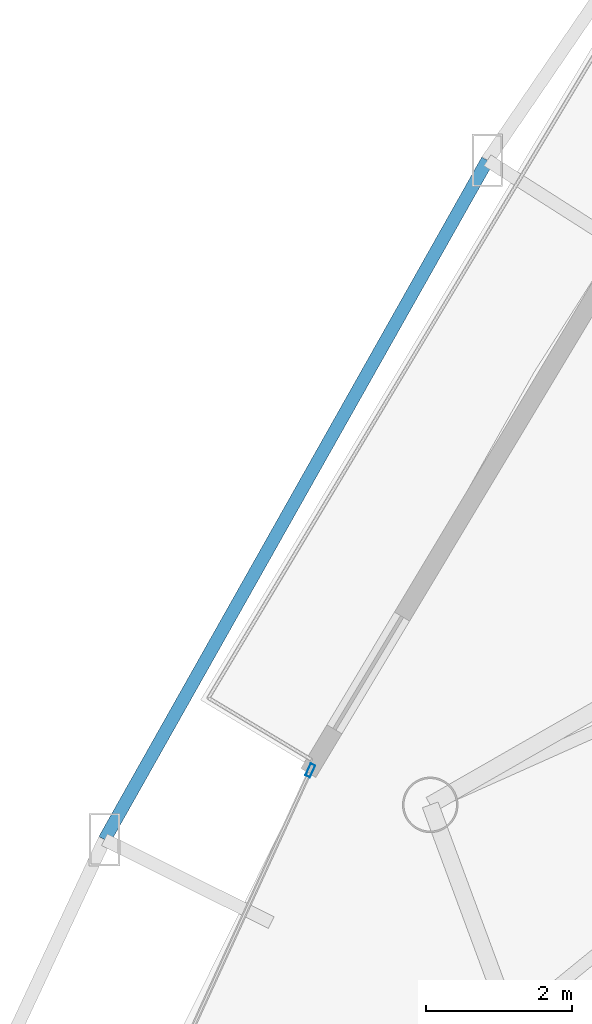
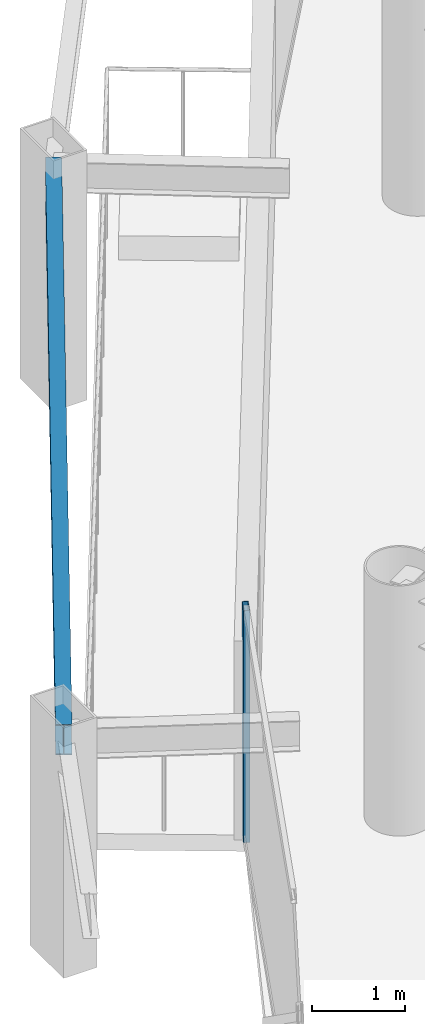
# One storey, part 10 of 34: 1 beam, 1 member, 1 element without a shape of its own.
"""IFC4 building model written with IfcOpenShell, lengths in metres."""

from ifc_helpers import new_model, si_unit, direction, frame, origin, origin_2d, place, context, subcontext, project, spatial, hollow_rectangle, i_section, extrude, material, layer, layer_set, material_profile, profile_set, type_object, element, aggregate, save


model = new_model("IFC4")

# Units and contexts
model_context = context("Model", 3, precision=1e-05, world=origin(), true_north=direction((0.0, 1.0)))
body_context = subcontext(model_context, "Body", "Model", "MODEL_VIEW")
ifc_project = project(units=[si_unit("LENGTHUNIT", "METRE"), si_unit("AREAUNIT", "SQUARE_METRE"), si_unit("VOLUMEUNIT", "CUBIC_METRE"), si_unit("PLANEANGLEUNIT", "RADIAN"), si_unit("MASSUNIT", "GRAM", prefix="KILO")], contexts=[model_context])

# Site, building, storey
site_placement = place(None, origin())
site = spatial("IfcSite", under=ifc_project, at=site_placement, CompositionType="ELEMENT")
building_placement = place(site_placement, origin())
building = spatial("IfcBuilding", under=site, at=building_placement, Name="Orvanel Arch Residences", CompositionType="ELEMENT")
storey_placement = place(building_placement, frame((0.0, 0.0, 67.550048828125)))
storey = spatial("IfcBuildingStorey", under=building, at=storey_placement, Name="L18", CompositionType="ELEMENT", Elevation=67.550048828125)

# Curtain wall, member
ifc_material_1 = material(Name="Bronze-anodised aluminium AA6063-T6", Category="aluminium")
ifc_layer = layer(ifc_material_1, 0.179931640625)
ifc_layer_set = layer_set([ifc_layer], Name="Bronze-anodised aluminium AA6063-T6")
curtain_wall_type = type_object("IfcCurtainWallType", Name="CW2-LOW-SYS", PredefinedType="NOTDEFINED", material=ifc_layer_set)
curtain_wall_placement = place(storey_placement, origin())
curtain_wall = element("IfcCurtainWall", 1, at=curtain_wall_placement, inside=storey, type_object=curtain_wall_type, Name="L18 CW2-LOW-SYS Unitised Curtain Wall", PredefinedType="NOTDEFINED")
ifc_material_profile_1 = material_profile(ifc_material_1, hollow_rectangle(XDim=0.070068359375, YDim=0.179931640625, WallThickness=0.00439453125, at=origin_2d()), Name="ALU180x70x4.5")
ifc_profile_set_1 = profile_set([ifc_material_profile_1], Name="Bronze-anodised aluminium AA6063-T6")
member_type = type_object("IfcMemberType", Name="MUL-180x70", PredefinedType="MULLION", material=ifc_profile_set_1)
member_placement = place(storey_placement, frame((13.0185546875, 24.72705078125, 0.0), z_axis=(0.0, 0.0, 1.0), x_axis=(0.909506848006, -0.415688938305, 0.0)))
member = element("IfcMember", 2, at=member_placement, type_object=member_type, Name="CW-S2 mullion 1", PredefinedType="MULLION", context=body_context, shape_type="SweptSolid", body=[
    extrude(hollow_rectangle(XDim=0.070068359375, YDim=0.179931640625, WallThickness=0.00439453125, at=origin_2d()), origin(), (0.0, 0.0, 1.0), 3.06005859375),
])
aggregate(curtain_wall, [member])

# Beam
ifc_material_2 = material(Name="Structural steel AS/NZS 3679.1 Grade 300 (300 MPa)", Category="steel")
ifc_material_profile_2 = material_profile(ifc_material_2, i_section(OverallWidth=0.177978515625, OverallDepth=0.406005859375, WebThickness=0.0078125, FlangeThickness=0.0126953125, at=origin_2d()), Name="410UB59.7")
ifc_profile_set_2 = profile_set([ifc_material_profile_2], Name="Structural steel AS/NZS 3679.1 Grade 300 (300 MPa)")
beam_type = type_object("IfcBeamType", Name="OB-410UB-EXT", PredefinedType="SPANDREL", material=ifc_profile_set_2)
beam_placement = place(storey_placement, frame((15.445068359375, 33.0869140625, 2.85693359375), z_axis=(-0.491002028117, -0.871158428981, 0.0), x_axis=(0.871158428981, -0.491002028117, 0.0)))
element("IfcBeam", 3, at=beam_placement, inside=storey, type_object=beam_type, Name="L18 Outer Perimeter Floor Ring Beam 02", PredefinedType="SPANDREL", context=body_context, shape_type="SweptSolid", body=[
    extrude(i_section(OverallWidth=0.177978515625, OverallDepth=0.406005859375, WebThickness=0.0078125, FlangeThickness=0.0126953125, at=origin_2d()), origin(), (0.0, 0.0, 1.0), 10.6845703125),
])

save(model, "model.ifc")
